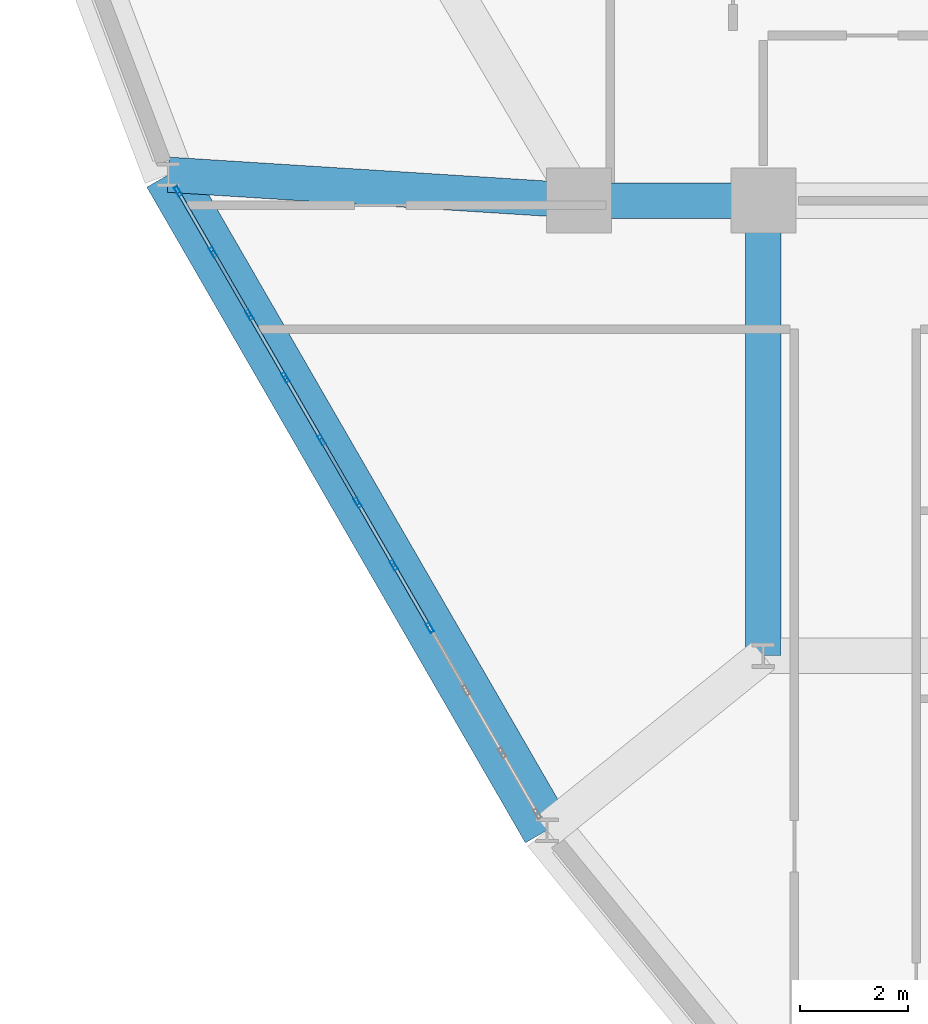
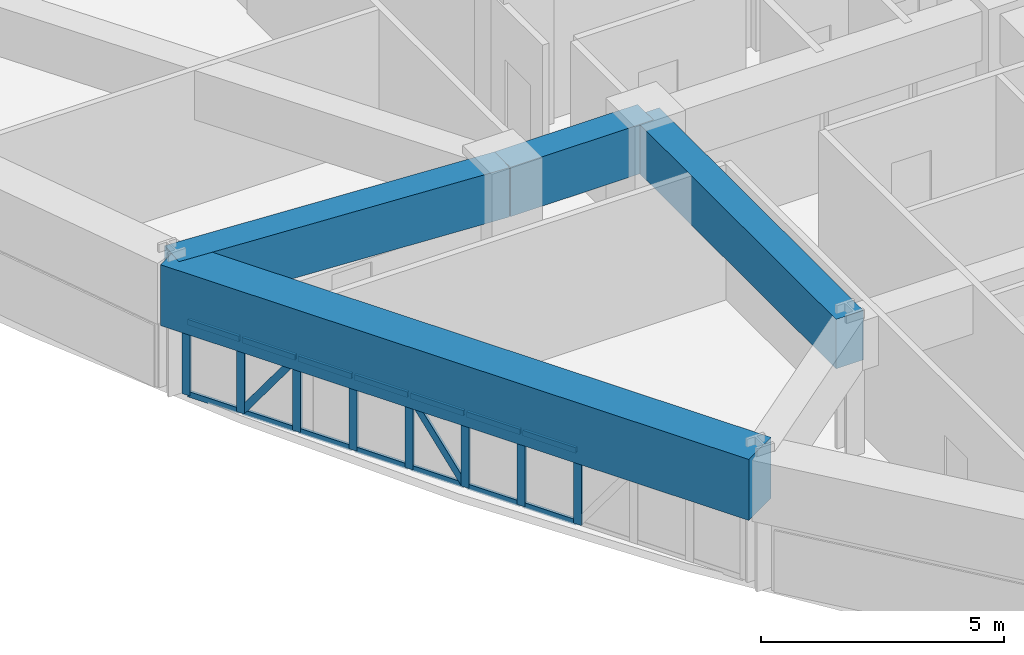
# One storey, part 4 of 15: 24 members, 4 beams, 1 element without a shape of its own.
"""IFC4 building model written with IfcOpenShell, lengths in metres."""

from ifc_helpers import new_model, si_unit, derived_unit, direction, frame, origin, origin_2d, place, context, subcontext, project, spatial, rectangle, hollow_rectangle, extrude, source, transform, mapped, material, layer, layer_set, material_profile, profile_set, type_object, element, aggregate, save


model = new_model("IFC4")

# Units and contexts
model_context = context("Model", 3, precision=1e-05, world=origin(), true_north=direction((0.0, 1.0)))
body_context = subcontext(model_context, "Body", "Model", "MODEL_VIEW")
ifc_project = project(units=[si_unit("LENGTHUNIT", "METRE"), si_unit("AREAUNIT", "SQUARE_METRE"), si_unit("VOLUMEUNIT", "CUBIC_METRE"), si_unit("PLANEANGLEUNIT", "RADIAN"), si_unit("MASSUNIT", "GRAM", prefix="KILO"), derived_unit("THERMALTRANSMITTANCEUNIT", [(si_unit("POWERUNIT", "WATT"), 1), (si_unit("LENGTHUNIT", "METRE"), -2), (si_unit("THERMODYNAMICTEMPERATUREUNIT", "KELVIN"), -1)])], contexts=[model_context])

# Site, building, storey
site_placement = place(None, origin())
site = spatial("IfcSite", under=ifc_project, at=site_placement, CompositionType="ELEMENT")
building_placement = place(site_placement, origin())
building = spatial("IfcBuilding", under=site, at=building_placement, Name="Korsvarv Bourse and Concert Hall", CompositionType="ELEMENT")
storey_placement = place(building_placement, frame((0.0, 0.0, 113.39990234375)))
storey = spatial("IfcBuildingStorey", under=building, at=storey_placement, Name="L28", CompositionType="ELEMENT", Elevation=113.39990234375)

# Beams
ifc_material_1 = material(Name="Concrete C50/60", Category="concrete")
ifc_material_profile_1 = material_profile(ifc_material_1, rectangle(XDim=0.64990234375, YDim=1.239990234375, at=origin_2d()), Name="RC-BM 650x1240")
ifc_profile_set_1 = profile_set([ifc_material_profile_1], Name="Concrete C50/60")
beam_type_1 = type_object("IfcBeamType", Name="BM-TR-SPN", PredefinedType="BEAM", material=ifc_profile_set_1)
shared_shape_1 = source(origin(), body_context, "Body", "SweptSolid", [
    extrude(rectangle(XDim=0.64990234375, YDim=1.239990234375, at=origin_2d()), origin(), (0.0, 0.0, 1.0), 3.400146484375),
])
beam_1_placement = place(storey_placement, frame((24.199951171875, 32.39990234375, 2.780029296875), z_axis=(1.0, 0.0, 0.0), x_axis=(0.0, 1.0, 0.0)))
element("IfcBeam", 1, at=beam_1_placement, inside=storey, type_object=beam_type_1, Name="L28 beam B-TRS", PredefinedType="BEAM", context=body_context, shape_type="MappedRepresentation", body=[
    mapped(shared_shape_1, transform((0.0, 0.0, 0.0), scale=1.0)),
])
shared_shape_2 = source(origin(), body_context, "Body", "SweptSolid", [
    extrude(rectangle(XDim=0.64990234375, YDim=1.239990234375, at=origin_2d()), origin(), (0.0, 0.0, 1.0), 8.39990234375),
])
beam_2_placement = place(storey_placement, frame((27.60009765625, 24.0, 2.780029296875), z_axis=(0.0, 1.0, 0.0), x_axis=(-1.0, 0.0, 0.0)))
element("IfcBeam", 2, at=beam_2_placement, inside=storey, type_object=beam_type_1, Name="L28 beam B-TRS", PredefinedType="BEAM", context=body_context, shape_type="MappedRepresentation", body=[
    mapped(shared_shape_2, transform((0.0, 0.0, 0.0), scale=1.0)),
])
ifc_material_profile_2 = material_profile(ifc_material_1, rectangle(XDim=0.919921875, YDim=1.530029296875, at=origin_2d()), Name="RC-BM 920x1530")
ifc_profile_set_2 = profile_set([ifc_material_profile_2], Name="Concrete C50/60")
beam_type_2 = type_object("IfcBeamType", Name="BM-TR-154", PredefinedType="BEAM", material=ifc_profile_set_2)
shared_shape_3 = source(origin(), body_context, "Body", "SweptSolid", [
    extrude(rectangle(XDim=0.919921875, YDim=1.530029296875, at=origin_2d()), origin(), (0.0, 0.0, 1.0), 13.97607421875),
])
beam_3_placement = place(storey_placement, frame((16.619140625, 32.87939453125, 2.635009765625), z_axis=(0.500003708422, -0.866023262716, 0.0), x_axis=(0.866023262716, 0.500003708422, 0.0)))
element("IfcBeam", 3, at=beam_3_placement, inside=storey, type_object=beam_type_2, Name="L28 beam B-TR6", PredefinedType="BEAM", context=body_context, shape_type="MappedRepresentation", body=[
    mapped(shared_shape_3, transform((0.0, 0.0, 0.0), scale=1.0)),
])
shared_shape_4 = source(origin(), body_context, "Body", "SweptSolid", [
    extrude(rectangle(XDim=0.64990234375, YDim=1.239990234375, at=origin_2d()), origin(), (0.0, 0.0, 1.0), 7.595947265625),
])
beam_4_placement = place(storey_placement, frame((16.619140625, 32.87939453125, 2.780029296875), z_axis=(0.998005651397, -0.063124636867, 0.0), x_axis=(0.063124636867, 0.998005651397, 0.0)))
element("IfcBeam", 4, at=beam_4_placement, inside=storey, type_object=beam_type_1, Name="L28 beam B-TRS", PredefinedType="BEAM", context=body_context, shape_type="MappedRepresentation", body=[
    mapped(shared_shape_4, transform((0.0, 0.0, 0.0), scale=1.0)),
])

# Curtain wall, members
ifc_material_2 = material(Name="Anodised aluminium and triple low-E glazing", Category="glass")
ifc_layer = layer(ifc_material_2, 0.2099609375)
ifc_layer_set = layer_set([ifc_layer], Name="Anodised aluminium and triple low-E glazing")
curtain_wall_type = type_object("IfcCurtainWallType", Name="CW-SYS-2", PredefinedType="NOTDEFINED", material=ifc_layer_set)
curtain_wall_placement = place(storey_placement, origin())
curtain_wall = element("IfcCurtainWall", 5, at=curtain_wall_placement, inside=storey, type_object=curtain_wall_type, Name="L28 CW2 curtain wall CW-L28-F07", PredefinedType="NOTDEFINED")
ifc_material_3 = material(Name="Extruded aluminium EN AW-6063 T66", Category="aluminium")
ifc_material_profile_3 = material_profile(ifc_material_3, hollow_rectangle(XDim=0.070068359375, YDim=0.18994140625, WallThickness=0.0048828125, at=origin_2d()), Name="ALU-M 70x190")
ifc_profile_set_3 = profile_set([ifc_material_profile_3], Name="Extruded aluminium EN AW-6063 T66")
member_type_1 = type_object("IfcMemberType", Name="CWM-190", PredefinedType="MULLION", material=ifc_profile_set_3)
shared_shape_5 = source(origin(), body_context, "Body", "SweptSolid", [
    extrude(hollow_rectangle(XDim=0.070068359375, YDim=0.18994140625, WallThickness=0.0048828125, at=origin_2d()), origin(), (0.0, 0.0, 1.0), 1.8701171875),
])
member_1_placement = place(storey_placement, frame((16.796875, 32.57177734375, 0.0), z_axis=(0.0, 0.0, 1.0), x_axis=(0.866021744853, 0.500006337402, 0.0)))
member_1 = element("IfcMember", 6, at=member_1_placement, type_object=member_type_1, Name="CW2 mullion 1", PredefinedType="MULLION", context=body_context, shape_type="MappedRepresentation", body=[
    mapped(shared_shape_5, transform((0.0, 0.0, 0.0), scale=1.0)),
])
member_2_placement = place(storey_placement, frame((17.446044921875, 31.447021484375, 0.0), z_axis=(0.0, 0.0, 1.0), x_axis=(0.866021744853, 0.500006337402, 0.0)))
member_2 = element("IfcMember", 7, at=member_2_placement, type_object=member_type_1, Name="CW2 mullion 2", PredefinedType="MULLION", context=body_context, shape_type="MappedRepresentation", body=[
    mapped(shared_shape_5, transform((0.0, 0.0, 0.0), scale=1.0)),
])
member_3_placement = place(storey_placement, frame((18.11279296875, 30.292236328125, 0.0), z_axis=(0.0, 0.0, 1.0), x_axis=(0.866021744853, 0.500006337402, 0.0)))
member_3 = element("IfcMember", 8, at=member_3_placement, type_object=member_type_1, Name="CW2 mullion 3", PredefinedType="MULLION", context=body_context, shape_type="MappedRepresentation", body=[
    mapped(shared_shape_5, transform((0.0, 0.0, 0.0), scale=1.0)),
])
member_4_placement = place(storey_placement, frame((18.779541015625, 29.137451171875, 0.0), z_axis=(0.0, 0.0, 1.0), x_axis=(0.866021744853, 0.500006337402, 0.0)))
member_4 = element("IfcMember", 9, at=member_4_placement, type_object=member_type_1, Name="CW2 mullion 4", PredefinedType="MULLION", context=body_context, shape_type="MappedRepresentation", body=[
    mapped(shared_shape_5, transform((0.0, 0.0, 0.0), scale=1.0)),
])
member_5_placement = place(storey_placement, frame((19.4462890625, 27.982666015625, 0.0), z_axis=(0.0, 0.0, 1.0), x_axis=(0.866021744853, 0.500006337402, 0.0)))
member_5 = element("IfcMember", 10, at=member_5_placement, type_object=member_type_1, Name="CW2 mullion 5", PredefinedType="MULLION", context=body_context, shape_type="MappedRepresentation", body=[
    mapped(shared_shape_5, transform((0.0, 0.0, 0.0), scale=1.0)),
])
member_6_placement = place(storey_placement, frame((20.113037109375, 26.82763671875, 0.0), z_axis=(0.0, 0.0, 1.0), x_axis=(0.866021744853, 0.500006337402, 0.0)))
member_6 = element("IfcMember", 11, at=member_6_placement, type_object=member_type_1, Name="CW2 mullion 6", PredefinedType="MULLION", context=body_context, shape_type="MappedRepresentation", body=[
    mapped(shared_shape_5, transform((0.0, 0.0, 0.0), scale=1.0)),
])
member_7_placement = place(storey_placement, frame((20.780029296875, 25.6728515625, 0.0), z_axis=(0.0, 0.0, 1.0), x_axis=(0.866021744853, 0.500006337402, 0.0)))
member_7 = element("IfcMember", 12, at=member_7_placement, type_object=member_type_1, Name="CW2 mullion 7", PredefinedType="MULLION", context=body_context, shape_type="MappedRepresentation", body=[
    mapped(shared_shape_5, transform((0.0, 0.0, 0.0), scale=1.0)),
])
member_8_placement = place(storey_placement, frame((21.44677734375, 24.51806640625, 0.0), z_axis=(0.0, 0.0, 1.0), x_axis=(0.866021744853, 0.500006337402, 0.0)))
member_8 = element("IfcMember", 13, at=member_8_placement, type_object=member_type_1, Name="CW2 mullion 8", PredefinedType="MULLION", context=body_context, shape_type="MappedRepresentation", body=[
    mapped(shared_shape_5, transform((0.0, 0.0, 0.0), scale=1.0)),
])
ifc_material_profile_4 = material_profile(ifc_material_3, hollow_rectangle(XDim=0.06494140625, YDim=0.139892578125, WallThickness=0.00390625, at=origin_2d()), Name="ALU-T 65x140")
ifc_profile_set_4 = profile_set([ifc_material_profile_4], Name="Extruded aluminium EN AW-6063 T66")
member_type_2 = type_object("IfcMemberType", Name="CWT-140", PredefinedType="USERDEFINED", material=ifc_profile_set_4)
shared_shape_6 = source(origin(), body_context, "Body", "SweptSolid", [
    extrude(hollow_rectangle(XDim=0.06494140625, YDim=0.139892578125, WallThickness=0.00390625, at=origin_2d()), origin(), (0.0, 0.0, 1.0), 1.228271484375),
])
member_9_placement = place(storey_placement, frame((16.814208984375, 32.541259765625, 0.03271484375), z_axis=(0.500072277755, -0.865983670182, 0.0), x_axis=(0.865983670182, 0.500072277755, 0.0)))
member_9 = element("IfcMember", 14, at=member_9_placement, type_object=member_type_2, Name="CW2 transom 1.1", ObjectType="TRANSOM", PredefinedType="USERDEFINED", context=body_context, shape_type="MappedRepresentation", body=[
    mapped(shared_shape_6, transform((0.0, 0.0, 0.0), scale=1.0)),
])
member_10_placement = place(storey_placement, frame((16.814208984375, 32.541259765625, 1.837646484375), z_axis=(0.500072277755, -0.865983670182, 0.0), x_axis=(0.865983670182, 0.500072277755, 0.0)))
member_10 = element("IfcMember", 15, at=member_10_placement, type_object=member_type_2, Name="CW2 transom 1.2", ObjectType="TRANSOM", PredefinedType="USERDEFINED", context=body_context, shape_type="MappedRepresentation", body=[
    mapped(shared_shape_6, transform((0.0, 0.0, 0.0), scale=1.0)),
])
shared_shape_7 = source(origin(), body_context, "Body", "SweptSolid", [
    extrude(hollow_rectangle(XDim=0.06494140625, YDim=0.139892578125, WallThickness=0.00390625, at=origin_2d()), origin(), (0.0, 0.0, 1.0), 1.263671875),
])
member_11_placement = place(storey_placement, frame((17.463623046875, 31.416748046875, 0.03271484375), z_axis=(0.500045805297, -0.865998956469, 0.0), x_axis=(0.865998956469, 0.500045805297, 0.0)))
member_11 = element("IfcMember", 16, at=member_11_placement, type_object=member_type_2, Name="CW2 transom 2.1", ObjectType="TRANSOM", PredefinedType="USERDEFINED", context=body_context, shape_type="MappedRepresentation", body=[
    mapped(shared_shape_7, transform((0.0, 0.0, 0.0), scale=1.0)),
])
member_12_placement = place(storey_placement, frame((17.463623046875, 31.416748046875, 1.837646484375), z_axis=(0.500045805297, -0.865998956469, 0.0), x_axis=(0.865998956469, 0.500045805297, 0.0)))
member_12 = element("IfcMember", 17, at=member_12_placement, type_object=member_type_2, Name="CW2 transom 2.2", ObjectType="TRANSOM", PredefinedType="USERDEFINED", context=body_context, shape_type="MappedRepresentation", body=[
    mapped(shared_shape_7, transform((0.0, 0.0, 0.0), scale=1.0)),
])
member_13_placement = place(storey_placement, frame((18.13037109375, 30.261962890625, 0.03271484375), z_axis=(0.500045805297, -0.865998956469, 0.0), x_axis=(0.865998956469, 0.500045805297, 0.0)))
member_13 = element("IfcMember", 18, at=member_13_placement, type_object=member_type_2, Name="CW2 transom 3.1", ObjectType="TRANSOM", PredefinedType="USERDEFINED", context=body_context, shape_type="MappedRepresentation", body=[
    mapped(shared_shape_7, transform((0.0, 0.0, 0.0), scale=1.0)),
])
member_14_placement = place(storey_placement, frame((18.13037109375, 30.261962890625, 1.837646484375), z_axis=(0.500045805297, -0.865998956469, 0.0), x_axis=(0.865998956469, 0.500045805297, 0.0)))
member_14 = element("IfcMember", 19, at=member_14_placement, type_object=member_type_2, Name="CW2 transom 3.2", ObjectType="TRANSOM", PredefinedType="USERDEFINED", context=body_context, shape_type="MappedRepresentation", body=[
    mapped(shared_shape_7, transform((0.0, 0.0, 0.0), scale=1.0)),
])
member_15_placement = place(storey_placement, frame((18.797119140625, 29.107177734375, 0.03271484375), z_axis=(0.500045805297, -0.865998956469, 0.0), x_axis=(0.865998956469, 0.500045805297, 0.0)))
member_15 = element("IfcMember", 20, at=member_15_placement, type_object=member_type_2, Name="CW2 transom 4.1", ObjectType="TRANSOM", PredefinedType="USERDEFINED", context=body_context, shape_type="MappedRepresentation", body=[
    mapped(shared_shape_7, transform((0.0, 0.0, 0.0), scale=1.0)),
])
member_16_placement = place(storey_placement, frame((18.797119140625, 29.107177734375, 1.837646484375), z_axis=(0.500045805297, -0.865998956469, 0.0), x_axis=(0.865998956469, 0.500045805297, 0.0)))
member_16 = element("IfcMember", 21, at=member_16_placement, type_object=member_type_2, Name="CW2 transom 4.2", ObjectType="TRANSOM", PredefinedType="USERDEFINED", context=body_context, shape_type="MappedRepresentation", body=[
    mapped(shared_shape_7, transform((0.0, 0.0, 0.0), scale=1.0)),
])
member_17_placement = place(storey_placement, frame((19.4638671875, 27.9521484375, 0.03271484375), z_axis=(0.500045805297, -0.865998956469, 0.0), x_axis=(0.865998956469, 0.500045805297, 0.0)))
member_17 = element("IfcMember", 22, at=member_17_placement, type_object=member_type_2, Name="CW2 transom 5.1", ObjectType="TRANSOM", PredefinedType="USERDEFINED", context=body_context, shape_type="MappedRepresentation", body=[
    mapped(shared_shape_7, transform((0.0, 0.0, 0.0), scale=1.0)),
])
member_18_placement = place(storey_placement, frame((19.4638671875, 27.9521484375, 1.837646484375), z_axis=(0.500045805297, -0.865998956469, 0.0), x_axis=(0.865998956469, 0.500045805297, 0.0)))
member_18 = element("IfcMember", 23, at=member_18_placement, type_object=member_type_2, Name="CW2 transom 5.2", ObjectType="TRANSOM", PredefinedType="USERDEFINED", context=body_context, shape_type="MappedRepresentation", body=[
    mapped(shared_shape_7, transform((0.0, 0.0, 0.0), scale=1.0)),
])
member_19_placement = place(storey_placement, frame((20.130615234375, 26.79736328125, 0.03271484375), z_axis=(0.500045805297, -0.865998956469, 0.0), x_axis=(0.865998956469, 0.500045805297, 0.0)))
member_19 = element("IfcMember", 24, at=member_19_placement, type_object=member_type_2, Name="CW2 transom 6.1", ObjectType="TRANSOM", PredefinedType="USERDEFINED", context=body_context, shape_type="MappedRepresentation", body=[
    mapped(shared_shape_7, transform((0.0, 0.0, 0.0), scale=1.0)),
])
member_20_placement = place(storey_placement, frame((20.130615234375, 26.79736328125, 1.837646484375), z_axis=(0.500045805297, -0.865998956469, 0.0), x_axis=(0.865998956469, 0.500045805297, 0.0)))
member_20 = element("IfcMember", 25, at=member_20_placement, type_object=member_type_2, Name="CW2 transom 6.2", ObjectType="TRANSOM", PredefinedType="USERDEFINED", context=body_context, shape_type="MappedRepresentation", body=[
    mapped(shared_shape_7, transform((0.0, 0.0, 0.0), scale=1.0)),
])
member_21_placement = place(storey_placement, frame((20.79736328125, 25.642578125, 0.03271484375), z_axis=(0.500045805297, -0.865998956469, 0.0), x_axis=(0.865998956469, 0.500045805297, 0.0)))
member_21 = element("IfcMember", 26, at=member_21_placement, type_object=member_type_2, Name="CW2 transom 7.1", ObjectType="TRANSOM", PredefinedType="USERDEFINED", context=body_context, shape_type="MappedRepresentation", body=[
    mapped(shared_shape_7, transform((0.0, 0.0, 0.0), scale=1.0)),
])
member_22_placement = place(storey_placement, frame((20.79736328125, 25.642578125, 1.837646484375), z_axis=(0.500045805297, -0.865998956469, 0.0), x_axis=(0.865998956469, 0.500045805297, 0.0)))
member_22 = element("IfcMember", 27, at=member_22_placement, type_object=member_type_2, Name="CW2 transom 7.2", ObjectType="TRANSOM", PredefinedType="USERDEFINED", context=body_context, shape_type="MappedRepresentation", body=[
    mapped(shared_shape_7, transform((0.0, 0.0, 0.0), scale=1.0)),
])
ifc_material_profile_5 = material_profile(ifc_material_3, hollow_rectangle(XDim=0.06494140625, YDim=0.1650390625, WallThickness=0.0048828125, at=origin_2d()), Name="ALU-M 65x165")
ifc_profile_set_5 = profile_set([ifc_material_profile_5], Name="Extruded aluminium EN AW-6063 T66")
member_type_3 = type_object("IfcMemberType", Name="CWM-165", PredefinedType="MULLION", material=ifc_profile_set_5)
shared_shape_8 = source(origin(), body_context, "Body", "SweptSolid", [
    extrude(hollow_rectangle(XDim=0.06494140625, YDim=0.1650390625, WallThickness=0.0048828125, at=origin_2d()), origin(), (0.0, 0.0, 1.0), 2.150390625),
])
member_23_placement = place(storey_placement, frame((17.463623046875, 31.416748046875, 0.065185546875), z_axis=(0.293825059629, -0.508857773283, 0.809154250377), x_axis=(0.865998956469, 0.500045805297, 0.0)))
member_23 = element("IfcMember", 28, at=member_23_placement, type_object=member_type_3, Name="CW2 diagonal mullion 2", PredefinedType="MULLION", context=body_context, shape_type="MappedRepresentation", body=[
    mapped(shared_shape_8, transform((0.0, 0.0, 0.0), scale=1.0)),
])
member_24_placement = place(storey_placement, frame((20.095703125, 26.85791015625, 0.065185546875), z_axis=(-0.293825059629, 0.508857773283, 0.809154250377), x_axis=(-0.865998956469, -0.500045805297, 0.0)))
member_24 = element("IfcMember", 29, at=member_24_placement, type_object=member_type_3, Name="CW2 diagonal mullion 5", PredefinedType="MULLION", context=body_context, shape_type="MappedRepresentation", body=[
    mapped(shared_shape_8, transform((0.0, 0.0, 0.0), scale=1.0)),
])
aggregate(curtain_wall, [member_1, member_2, member_3, member_4, member_5, member_6, member_7, member_8, member_9, member_10, member_11, member_12, member_23, member_13, member_14, member_15, member_16, member_17, member_18, member_24, member_19, member_20, member_21, member_22])

save(model, "model.ifc")
